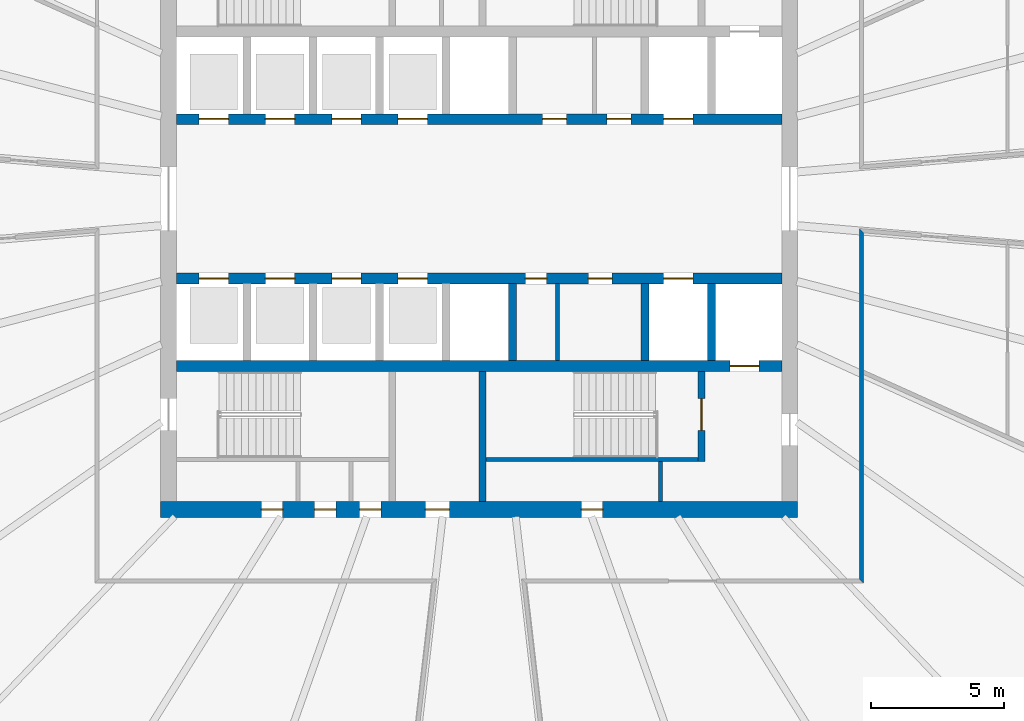
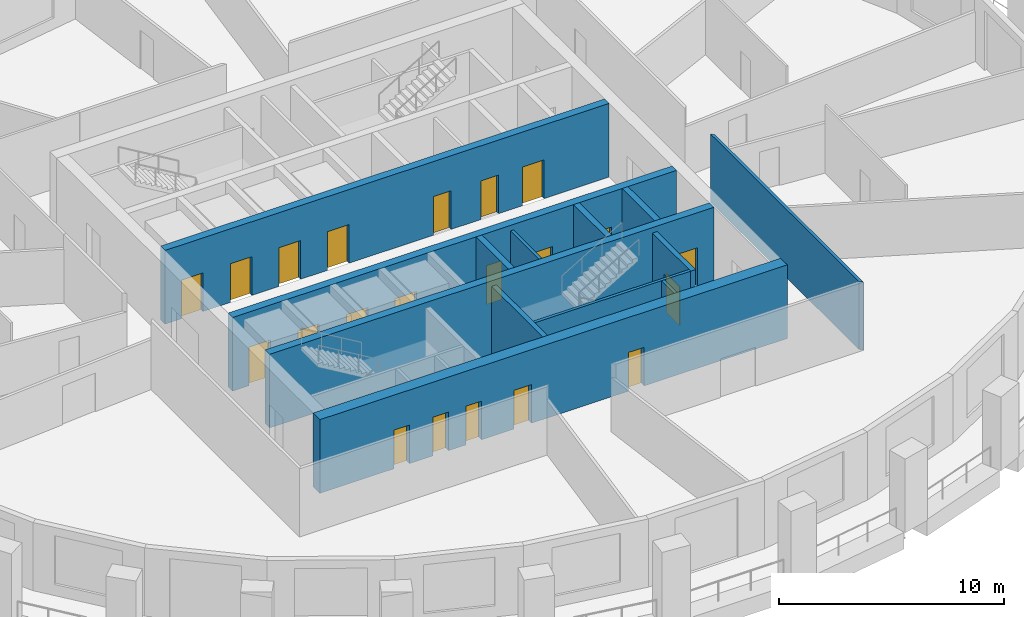
# One storey, part 4 of 10: 21 doors, 13 walls, 21 openings.
"""IFC4 building model written with IfcOpenShell, lengths in metres."""

from ifc_helpers import new_model, si_unit, direction, frame, frame_2d, origin, place, context, subcontext, project, spatial, polyline, rectangle, outline, extrude, material, layer, layer_set, type_object, element, fill, save


model = new_model("IFC4")

# Units and contexts
model_context = context("Model", 3, precision=1e-05, world=origin(), true_north=direction((0.0, 1.0)))
body_context = subcontext(model_context, "Body", "Model", "MODEL_VIEW")
ifc_project = project(units=[si_unit("LENGTHUNIT", "METRE"), si_unit("AREAUNIT", "SQUARE_METRE"), si_unit("VOLUMEUNIT", "CUBIC_METRE"), si_unit("PLANEANGLEUNIT", "RADIAN"), si_unit("MASSUNIT", "GRAM", prefix="KILO")], contexts=[model_context])

# Site, building, storey
site_placement = place(None, origin())
site = spatial("IfcSite", under=ifc_project, at=site_placement, CompositionType="ELEMENT")
building_placement = place(site_placement, origin())
building = spatial("IfcBuilding", under=site, at=building_placement, Name="Halqa Exchange Tower", CompositionType="ELEMENT")
storey_placement = place(building_placement, frame((0.0, 0.0, 178.89990234375)))
storey = spatial("IfcBuildingStorey", under=building, at=storey_placement, Name="L40", CompositionType="ELEMENT", Elevation=178.89990234375)

# Walls
ifc_material_1 = material(Name="Fire-rated gypsum board")
ifc_layer_1 = layer(ifc_material_1, 0.14990234375)
ifc_layer_set_1 = layer_set([ifc_layer_1], Name="Fire-rated gypsum board")
wall_type_1 = type_object("IfcWallType", Name="Fire partition EI 60 150", PredefinedType="PARTITIONING", material=ifc_layer_set_1)
wall_1_placement = place(storey_placement, frame((14.39990234375, -14.47509765625, 0.0), z_axis=(0.0, 0.0, 1.0), x_axis=(0.0, 1.0, 0.0)))
element("IfcWall", 1, at=wall_1_placement, inside=storey, type_object=wall_type_1, Name="L40-PWL-019", PredefinedType="PARTITIONING", context=body_context, shape_type="SweptSolid", body=[
    extrude(outline(polyline([(0.000244140625, -0.074951171875), (1.885009765625, -0.074951171875), (3.769775390625, -0.074951171875), (5.654541015625, -0.074951171875), (7.539306640625, -0.074951171875), (9.424072265625, -0.074951171875), (11.308837890625, -0.074951171875), (13.193603515625, -0.074951171875), (13.356689453125, 0.074951171875), (11.469970703125, 0.074951171875), (9.58349609375, 0.074951171875), (7.69677734375, 0.074951171875), (5.81005859375, 0.074951171875), (3.92333984375, 0.074951171875), (2.036865234375, 0.074951171875), (0.150146484375, 0.074951171875), (0.000244140625, -0.074951171875)])), origin(), (0.0, 0.0, 1.0), 3.7001953125),
])
ifc_material_2 = material(Name="Gypsum board")
ifc_layer_2 = layer(ifc_material_2, 0.14990234375)
ifc_layer_set_2 = layer_set([ifc_layer_2], Name="Gypsum board")
wall_type_2 = type_object("IfcWallType", Name="Penthouse riser wall 150 gypsum", PredefinedType="PARTITIONING", material=ifc_layer_set_2)
wall_2_placement = place(storey_placement, frame((6.824951171875, -11.39990234375, 0.0), z_axis=(0.0, 0.0, 1.0), x_axis=(0.0, 1.0, 0.0)))
element("IfcWall", 2, at=wall_2_placement, inside=storey, type_object=wall_type_2, Name="Firefighting lobby west wall S", PredefinedType="PARTITIONING", context=body_context, shape_type="SweptSolid", body=[
    extrude(rectangle(XDim=1.5, YDim=0.14990234375, at=frame_2d((0.75, 0.0))), origin(), (0.0, 0.0, 1.0), 3.7001953125),
])
wall_3_placement = place(storey_placement, frame((2.949951171875, -6.10009765625, 0.0), z_axis=(0.0, 0.0, 1.0), x_axis=(0.0, 1.0, 0.0)))
element("IfcWall", 3, at=wall_3_placement, inside=storey, type_object=wall_type_2, Name="Freed bay partition SE2.950", PredefinedType="PARTITIONING", context=body_context, shape_type="SweptSolid", body=[
    extrude(rectangle(XDim=2.900146484375, YDim=0.14990234375, at=frame_2d((1.4501953125, 0.0))), origin(), (0.0, 0.0, 1.0), 3.7001953125),
])
ifc_material_3 = material(Name="Concrete C60/75", Category="concrete")
ifc_layer_3 = layer(ifc_material_3, 0.300048828125)
ifc_layer_set_3 = layer_set([ifc_layer_3], Name="Concrete C60/75")
wall_type_3 = type_object("IfcWallType", Name="RC core wall 300", PredefinedType="SHEAR", material=ifc_layer_set_3)
for number, where, z_axis, x_axis, name in (
    (4, (1.25, -6.10009765625, 0.0), (0.0, 0.0, 1.0), (0.0, 1.0, 0.0), "Shaft divider S5"),
    (5, (6.25, -6.10009765625, 0.0), (0.0, 0.0, 1.0), (0.0, 1.0, 0.0), "Shaft divider S7"),
    (6, (8.75, -6.10009765625, 0.0), (0.0, 0.0, 1.0), (0.0, 1.0, 0.0), "Shaft divider S8"),
):
    element("IfcWall", number, at=place(storey_placement, frame(where, z_axis=z_axis, x_axis=x_axis)), inside=storey, type_object=wall_type_3, Name=name, PredefinedType="SHEAR", context=body_context, shape_type="SweptSolid", body=[
        extrude(rectangle(XDim=2.900146484375, YDim=0.300048828125, at=frame_2d((1.4501953125, 0.0))), origin(), (0.0, 0.0, 1.0), 4.0),
    ])

# Wall, openings, doors
ifc_material_4 = material(Name="Concrete C70/85", Category="concrete")
ifc_layer_4 = layer(ifc_material_4, 0.39990234375)
ifc_layer_set_4 = layer_set([ifc_layer_4], Name="Concrete C70/85")
wall_type_4 = type_object("IfcWallType", Name="RC core wall 400 C70/85", PredefinedType="SHEAR", material=ifc_layer_set_4)
wall_4_placement = place(storey_placement, frame((-11.39990234375, 3.0, 0.0), z_axis=(0.0, 0.0, 1.0), x_axis=(1.0, 0.0, 0.0)))
wall_4 = element("IfcWall", 7, at=wall_4_placement, inside=storey, type_object=wall_type_4, Name="Lift row front wall N", PredefinedType="SHEAR", context=body_context, shape_type="SweptSolid", body=[
    extrude(rectangle(XDim=22.7998046875, YDim=0.39990234375, at=frame_2d((11.39990234375, 0.0))), origin(), (0.0, 0.0, 1.0), 4.0),
])
opening_1_placement = place(wall_4_placement, frame((0.85009765625, 0.0, 0.0)))
opening_1 = element("IfcOpeningElement", 8, at=opening_1_placement, cuts=wall_4, Name="Opening LD-HR1-T12", PredefinedType="OPENING", context=body_context, shape_type="SweptSolid", body=[
    extrude(rectangle(XDim=1.10009765625, YDim=2.10009765625, at=frame_2d((0.550048828125, 1.050048828125))), frame((0.0, 0.2119140625, 0.0), z_axis=(0.0, -1.0, 0.0), x_axis=(1.0, 0.0, 0.0)), (0.0, 0.0, 1.0), 0.423828125),
])
opening_2_placement = place(wall_4_placement, frame((3.35009765625, 0.0, 0.0)))
opening_2 = element("IfcOpeningElement", 9, at=opening_2_placement, cuts=wall_4, Name="Opening LD-HR2-T12", PredefinedType="OPENING", context=body_context, shape_type="SweptSolid", body=[
    extrude(rectangle(XDim=1.10009765625, YDim=2.10009765625, at=frame_2d((0.550048828125, 1.050048828125))), frame((0.0, 0.2119140625, 0.0), z_axis=(0.0, -1.0, 0.0), x_axis=(1.0, 0.0, 0.0)), (0.0, 0.0, 1.0), 0.423828125),
])
opening_3_placement = place(wall_4_placement, frame((5.85009765625, 0.0, 0.0)))
opening_3 = element("IfcOpeningElement", 10, at=opening_3_placement, cuts=wall_4, Name="Opening LD-MR1-T12", PredefinedType="OPENING", context=body_context, shape_type="SweptSolid", body=[
    extrude(rectangle(XDim=1.10009765625, YDim=2.10009765625, at=frame_2d((0.550048828125, 1.050048828125))), frame((0.0, 0.2119140625, 0.0), z_axis=(0.0, -1.0, 0.0), x_axis=(1.0, 0.0, 0.0)), (0.0, 0.0, 1.0), 0.423828125),
])
opening_4_placement = place(wall_4_placement, frame((8.35009765625, 0.0, 0.0)))
opening_4 = element("IfcOpeningElement", 11, at=opening_4_placement, cuts=wall_4, Name="Opening LD-MR2-T12", PredefinedType="OPENING", context=body_context, shape_type="SweptSolid", body=[
    extrude(rectangle(XDim=1.10009765625, YDim=2.10009765625, at=frame_2d((0.550048828125, 1.050048828125))), frame((0.0, 0.2119140625, 0.0), z_axis=(0.0, -1.0, 0.0), x_axis=(1.0, 0.0, 0.0)), (0.0, 0.0, 1.0), 0.423828125),
])
opening_5_placement = place(wall_4_placement, frame((18.35009765625, 0.0, 0.0)))
opening_5 = element("IfcOpeningElement", 12, at=opening_5_placement, cuts=wall_4, Name="Opening LD-SV1-T12", PredefinedType="OPENING", context=body_context, shape_type="SweptSolid", body=[
    extrude(rectangle(XDim=1.10009765625, YDim=2.10009765625, at=frame_2d((0.550048828125, 1.050048828125))), frame((0.0, 0.2119140625, 0.0), z_axis=(0.0, -1.0, 0.0), x_axis=(1.0, 0.0, 0.0)), (0.0, 0.0, 1.0), 0.423828125),
])
opening_6_placement = place(wall_4_placement, frame((13.78759765625, 0.0, 0.0)))
opening_6 = element("IfcOpeningElement", 13, at=opening_6_placement, cuts=wall_4, Name="Opening T12-C31", PredefinedType="OPENING", context=body_context, shape_type="SweptSolid", body=[
    extrude(rectangle(XDim=0.89990234375, YDim=2.10009765625, at=frame_2d((0.449951171875, 1.050048828125))), frame((0.0, 0.2119140625, 0.0), z_axis=(0.0, -1.0, 0.0), x_axis=(1.0, 0.0, 0.0)), (0.0, 0.0, 1.0), 0.423828125),
])
opening_7_placement = place(wall_4_placement, frame((16.21240234375, 0.0, 0.0)))
opening_7 = element("IfcOpeningElement", 14, at=opening_7_placement, cuts=wall_4, Name="Opening T12-C32", PredefinedType="OPENING", context=body_context, shape_type="SweptSolid", body=[
    extrude(rectangle(XDim=0.89990234375, YDim=2.10009765625, at=frame_2d((0.449951171875, 1.050048828125))), frame((0.0, 0.2119140625, 0.0), z_axis=(0.0, -1.0, 0.0), x_axis=(1.0, 0.0, 0.0)), (0.0, 0.0, 1.0), 0.423828125),
])
ifc_material_5 = material(Name="Timber fire door leaf", Category="wood")
door_type_1 = type_object("IfcDoorType", Name="Core room door FD30 900 x 2100", OperationType="SINGLE_SWING_LEFT", PredefinedType="DOOR", material=ifc_material_5)
door_1_placement = place(opening_6_placement, origin())
door_1 = element("IfcDoor", 15, at=door_1_placement, inside=storey, type_object=door_type_1, Name="Core room door", OperationType="SINGLE_SWING_RIGHT", OverallHeight=2.10009765625, OverallWidth=0.89990234375, PredefinedType="DOOR", context=body_context, shape_type="SweptSolid", body=[
    extrude(rectangle(XDim=0.89990234375, YDim=2.10009765625, at=frame_2d((0.449951171875, 1.050048828125))), frame((0.0, 0.02490234375, 0.0), z_axis=(0.0, -1.0, 0.0), x_axis=(1.0, 0.0, 0.0)), (0.0, 0.0, 1.0), 0.050048828125),
])
fill(opening_6, door_1)
door_2_placement = place(opening_7_placement, origin())
door_2 = element("IfcDoor", 16, at=door_2_placement, inside=storey, type_object=door_type_1, Name="Core room door", OperationType="SINGLE_SWING_RIGHT", OverallHeight=2.10009765625, OverallWidth=0.89990234375, PredefinedType="DOOR", context=body_context, shape_type="SweptSolid", body=[
    extrude(rectangle(XDim=0.89990234375, YDim=2.10009765625, at=frame_2d((0.449951171875, 1.050048828125))), frame((0.0, 0.02490234375, 0.0), z_axis=(0.0, -1.0, 0.0), x_axis=(1.0, 0.0, 0.0)), (0.0, 0.0, 1.0), 0.050048828125),
])
fill(opening_7, door_2)
ifc_material_6 = material(Name="Stainless steel", Category="steel")
door_type_2 = type_object("IfcDoorType", Name="Lift landing door 1100 x 2100", OperationType="SLIDING_TO_LEFT", PredefinedType="DOOR", material=ifc_material_6)
door_3_placement = place(opening_1_placement, origin())
door_3 = element("IfcDoor", 17, at=door_3_placement, inside=storey, type_object=door_type_2, Name="Lift landing door HR1", OperationType="SLIDING_TO_LEFT", OverallHeight=2.10009765625, OverallWidth=1.10009765625, PredefinedType="DOOR", context=body_context, shape_type="SweptSolid", body=[
    extrude(rectangle(XDim=1.10009765625, YDim=2.10009765625, at=frame_2d((0.550048828125, 1.050048828125))), frame((0.0, 0.02490234375, 0.0), z_axis=(0.0, -1.0, 0.0), x_axis=(1.0, 0.0, 0.0)), (0.0, 0.0, 1.0), 0.050048828125),
])
fill(opening_1, door_3)
door_4_placement = place(opening_2_placement, origin())
door_4 = element("IfcDoor", 18, at=door_4_placement, inside=storey, type_object=door_type_2, Name="Lift landing door HR2", OperationType="SLIDING_TO_LEFT", OverallHeight=2.10009765625, OverallWidth=1.10009765625, PredefinedType="DOOR", context=body_context, shape_type="SweptSolid", body=[
    extrude(rectangle(XDim=1.10009765625, YDim=2.10009765625, at=frame_2d((0.550048828125, 1.050048828125))), frame((0.0, 0.02490234375, 0.0), z_axis=(0.0, -1.0, 0.0), x_axis=(1.0, 0.0, 0.0)), (0.0, 0.0, 1.0), 0.050048828125),
])
fill(opening_2, door_4)
door_5_placement = place(opening_3_placement, origin())
door_5 = element("IfcDoor", 19, at=door_5_placement, inside=storey, type_object=door_type_2, Name="Lift landing door MR1", OperationType="SLIDING_TO_LEFT", OverallHeight=2.10009765625, OverallWidth=1.10009765625, PredefinedType="DOOR", context=body_context, shape_type="SweptSolid", body=[
    extrude(rectangle(XDim=1.10009765625, YDim=2.10009765625, at=frame_2d((0.550048828125, 1.050048828125))), frame((0.0, 0.02490234375, 0.0), z_axis=(0.0, -1.0, 0.0), x_axis=(1.0, 0.0, 0.0)), (0.0, 0.0, 1.0), 0.050048828125),
])
fill(opening_3, door_5)
door_6_placement = place(opening_4_placement, origin())
door_6 = element("IfcDoor", 20, at=door_6_placement, inside=storey, type_object=door_type_2, Name="Lift landing door MR2", OperationType="SLIDING_TO_LEFT", OverallHeight=2.10009765625, OverallWidth=1.10009765625, PredefinedType="DOOR", context=body_context, shape_type="SweptSolid", body=[
    extrude(rectangle(XDim=1.10009765625, YDim=2.10009765625, at=frame_2d((0.550048828125, 1.050048828125))), frame((0.0, 0.02490234375, 0.0), z_axis=(0.0, -1.0, 0.0), x_axis=(1.0, 0.0, 0.0)), (0.0, 0.0, 1.0), 0.050048828125),
])
fill(opening_4, door_6)
door_7_placement = place(opening_5_placement, origin())
door_7 = element("IfcDoor", 21, at=door_7_placement, inside=storey, type_object=door_type_2, Name="Lift landing door SV1", OperationType="SLIDING_TO_LEFT", OverallHeight=2.10009765625, OverallWidth=1.10009765625, PredefinedType="DOOR", context=body_context, shape_type="SweptSolid", body=[
    extrude(rectangle(XDim=1.10009765625, YDim=2.10009765625, at=frame_2d((0.550048828125, 1.050048828125))), frame((0.0, 0.02490234375, 0.0), z_axis=(0.0, -1.0, 0.0), x_axis=(1.0, 0.0, 0.0)), (0.0, 0.0, 1.0), 0.050048828125),
])
fill(opening_5, door_7)

wall_5_placement = place(storey_placement, frame((-11.39990234375, -3.0, 0.0), z_axis=(0.0, 0.0, 1.0), x_axis=(1.0, 0.0, 0.0)))
wall_5 = element("IfcWall", 22, at=wall_5_placement, inside=storey, type_object=wall_type_4, Name="Lift row front wall S", PredefinedType="SHEAR", context=body_context, shape_type="SweptSolid", body=[
    extrude(rectangle(XDim=22.7998046875, YDim=0.39990234375, at=frame_2d((11.39990234375, 0.0))), origin(), (0.0, 0.0, 1.0), 4.0),
])
opening_8_placement = place(wall_5_placement, frame((0.85009765625, 0.0, 0.0)))
opening_8 = element("IfcOpeningElement", 23, at=opening_8_placement, cuts=wall_5, Name="Opening LD-HR3-T12", PredefinedType="OPENING", context=body_context, shape_type="SweptSolid", body=[
    extrude(rectangle(XDim=1.10009765625, YDim=2.10009765625, at=frame_2d((0.550048828125, 1.050048828125))), frame((0.0, 0.2119140625, 0.0), z_axis=(0.0, -1.0, 0.0), x_axis=(1.0, 0.0, 0.0)), (0.0, 0.0, 1.0), 0.423828125),
])
opening_9_placement = place(wall_5_placement, frame((3.35009765625, 0.0, 0.0)))
opening_9 = element("IfcOpeningElement", 24, at=opening_9_placement, cuts=wall_5, Name="Opening LD-HR4-T12", PredefinedType="OPENING", context=body_context, shape_type="SweptSolid", body=[
    extrude(rectangle(XDim=1.10009765625, YDim=2.10009765625, at=frame_2d((0.550048828125, 1.050048828125))), frame((0.0, 0.2119140625, 0.0), z_axis=(0.0, -1.0, 0.0), x_axis=(1.0, 0.0, 0.0)), (0.0, 0.0, 1.0), 0.423828125),
])
opening_10_placement = place(wall_5_placement, frame((5.85009765625, 0.0, 0.0)))
opening_10 = element("IfcOpeningElement", 25, at=opening_10_placement, cuts=wall_5, Name="Opening LD-MR3-T12", PredefinedType="OPENING", context=body_context, shape_type="SweptSolid", body=[
    extrude(rectangle(XDim=1.10009765625, YDim=2.10009765625, at=frame_2d((0.550048828125, 1.050048828125))), frame((0.0, 0.2119140625, 0.0), z_axis=(0.0, -1.0, 0.0), x_axis=(1.0, 0.0, 0.0)), (0.0, 0.0, 1.0), 0.423828125),
])
opening_11_placement = place(wall_5_placement, frame((8.35009765625, 0.0, 0.0)))
opening_11 = element("IfcOpeningElement", 26, at=opening_11_placement, cuts=wall_5, Name="Opening LD-MR4-T12", PredefinedType="OPENING", context=body_context, shape_type="SweptSolid", body=[
    extrude(rectangle(XDim=1.10009765625, YDim=2.10009765625, at=frame_2d((0.550048828125, 1.050048828125))), frame((0.0, 0.2119140625, 0.0), z_axis=(0.0, -1.0, 0.0), x_axis=(1.0, 0.0, 0.0)), (0.0, 0.0, 1.0), 0.423828125),
])
opening_12_placement = place(wall_5_placement, frame((18.35009765625, 0.0, 0.0)))
opening_12 = element("IfcOpeningElement", 27, at=opening_12_placement, cuts=wall_5, Name="Opening LD-SV2-T12", PredefinedType="OPENING", context=body_context, shape_type="SweptSolid", body=[
    extrude(rectangle(XDim=1.10009765625, YDim=2.10009765625, at=frame_2d((0.550048828125, 1.050048828125))), frame((0.0, 0.2119140625, 0.0), z_axis=(0.0, -1.0, 0.0), x_axis=(1.0, 0.0, 0.0)), (0.0, 0.0, 1.0), 0.423828125),
])
opening_13_placement = place(wall_5_placement, frame((13.137451171875, 0.0, 0.0)))
opening_13 = element("IfcOpeningElement", 28, at=opening_13_placement, cuts=wall_5, Name="Opening T12-C33", PredefinedType="OPENING", context=body_context, shape_type="SweptSolid", body=[
    extrude(rectangle(XDim=0.800048828125, YDim=2.10009765625, at=frame_2d((0.39990234375, 1.050048828125))), frame((0.0, 0.2119140625, 0.0), z_axis=(0.0, -1.0, 0.0), x_axis=(1.0, 0.0, 0.0)), (0.0, 0.0, 1.0), 0.423828125),
])
opening_14_placement = place(wall_5_placement, frame((15.512451171875, 0.0, 0.0)))
opening_14 = element("IfcOpeningElement", 29, at=opening_14_placement, cuts=wall_5, Name="Opening T12-C34", PredefinedType="OPENING", context=body_context, shape_type="SweptSolid", body=[
    extrude(rectangle(XDim=0.89990234375, YDim=2.10009765625, at=frame_2d((0.449951171875, 1.050048828125))), frame((0.0, 0.2119140625, 0.0), z_axis=(0.0, -1.0, 0.0), x_axis=(1.0, 0.0, 0.0)), (0.0, 0.0, 1.0), 0.423828125),
])
door_8_placement = place(opening_14_placement, frame((0.89990234375, 0.0, 0.0), z_axis=(0.0, 0.0, 1.0), x_axis=(-1.0, 0.0, 0.0)))
door_8 = element("IfcDoor", 30, at=door_8_placement, inside=storey, type_object=door_type_1, Name="Core room door", OperationType="SINGLE_SWING_RIGHT", OverallHeight=2.10009765625, OverallWidth=0.89990234375, PredefinedType="DOOR", context=body_context, shape_type="SweptSolid", body=[
    extrude(rectangle(XDim=0.89990234375, YDim=2.10009765625, at=frame_2d((0.449951171875, 1.050048828125))), frame((0.0, 0.02490234375, 0.0), z_axis=(0.0, -1.0, 0.0), x_axis=(1.0, 0.0, 0.0)), (0.0, 0.0, 1.0), 0.050048828125),
])
fill(opening_14, door_8)
door_9_placement = place(opening_8_placement, origin())
door_9 = element("IfcDoor", 31, at=door_9_placement, inside=storey, type_object=door_type_2, Name="Lift landing door HR3", OperationType="SLIDING_TO_LEFT", OverallHeight=2.10009765625, OverallWidth=1.10009765625, PredefinedType="DOOR", context=body_context, shape_type="SweptSolid", body=[
    extrude(rectangle(XDim=1.10009765625, YDim=2.10009765625, at=frame_2d((0.550048828125, 1.050048828125))), frame((0.0, 0.02490234375, 0.0), z_axis=(0.0, -1.0, 0.0), x_axis=(1.0, 0.0, 0.0)), (0.0, 0.0, 1.0), 0.050048828125),
])
fill(opening_8, door_9)
door_10_placement = place(opening_9_placement, origin())
door_10 = element("IfcDoor", 32, at=door_10_placement, inside=storey, type_object=door_type_2, Name="Lift landing door HR4", OperationType="SLIDING_TO_LEFT", OverallHeight=2.10009765625, OverallWidth=1.10009765625, PredefinedType="DOOR", context=body_context, shape_type="SweptSolid", body=[
    extrude(rectangle(XDim=1.10009765625, YDim=2.10009765625, at=frame_2d((0.550048828125, 1.050048828125))), frame((0.0, 0.02490234375, 0.0), z_axis=(0.0, -1.0, 0.0), x_axis=(1.0, 0.0, 0.0)), (0.0, 0.0, 1.0), 0.050048828125),
])
fill(opening_9, door_10)
door_11_placement = place(opening_10_placement, origin())
door_11 = element("IfcDoor", 33, at=door_11_placement, inside=storey, type_object=door_type_2, Name="Lift landing door MR3", OperationType="SLIDING_TO_LEFT", OverallHeight=2.10009765625, OverallWidth=1.10009765625, PredefinedType="DOOR", context=body_context, shape_type="SweptSolid", body=[
    extrude(rectangle(XDim=1.10009765625, YDim=2.10009765625, at=frame_2d((0.550048828125, 1.050048828125))), frame((0.0, 0.02490234375, 0.0), z_axis=(0.0, -1.0, 0.0), x_axis=(1.0, 0.0, 0.0)), (0.0, 0.0, 1.0), 0.050048828125),
])
fill(opening_10, door_11)
door_12_placement = place(opening_11_placement, origin())
door_12 = element("IfcDoor", 34, at=door_12_placement, inside=storey, type_object=door_type_2, Name="Lift landing door MR4", OperationType="SLIDING_TO_LEFT", OverallHeight=2.10009765625, OverallWidth=1.10009765625, PredefinedType="DOOR", context=body_context, shape_type="SweptSolid", body=[
    extrude(rectangle(XDim=1.10009765625, YDim=2.10009765625, at=frame_2d((0.550048828125, 1.050048828125))), frame((0.0, 0.02490234375, 0.0), z_axis=(0.0, -1.0, 0.0), x_axis=(1.0, 0.0, 0.0)), (0.0, 0.0, 1.0), 0.050048828125),
])
fill(opening_11, door_12)
door_13_placement = place(opening_12_placement, origin())
door_13 = element("IfcDoor", 35, at=door_13_placement, inside=storey, type_object=door_type_2, Name="Lift landing door SV2", OperationType="SLIDING_TO_LEFT", OverallHeight=2.10009765625, OverallWidth=1.10009765625, PredefinedType="DOOR", context=body_context, shape_type="SweptSolid", body=[
    extrude(rectangle(XDim=1.10009765625, YDim=2.10009765625, at=frame_2d((0.550048828125, 1.050048828125))), frame((0.0, 0.02490234375, 0.0), z_axis=(0.0, -1.0, 0.0), x_axis=(1.0, 0.0, 0.0)), (0.0, 0.0, 1.0), 0.050048828125),
])
fill(opening_12, door_13)
ifc_material_7 = material(Name="Steel fire door leaf", Category="steel")
door_type_3 = type_object("IfcDoorType", Name="Riser door FD60 800 x 2100", OperationType="SINGLE_SWING_LEFT", PredefinedType="DOOR", material=ifc_material_7)
door_14_placement = place(opening_13_placement, frame((0.800048828125, 0.0, 0.0), z_axis=(0.0, 0.0, 1.0), x_axis=(-1.0, 0.0, 0.0)))
door_14 = element("IfcDoor", 36, at=door_14_placement, inside=storey, type_object=door_type_3, Name="Core room door", OperationType="SINGLE_SWING_LEFT", OverallHeight=2.10009765625, OverallWidth=0.800048828125, PredefinedType="DOOR", context=body_context, shape_type="SweptSolid", body=[
    extrude(rectangle(XDim=0.800048828125, YDim=2.10009765625, at=frame_2d((0.39990234375, 1.050048828125))), frame((0.0, 0.02490234375, 0.0), z_axis=(0.0, -1.0, 0.0), x_axis=(1.0, 0.0, 0.0)), (0.0, 0.0, 1.0), 0.050048828125),
])
fill(opening_13, door_14)

# Wall, opening, door
wall_6_placement = place(storey_placement, frame((-11.39990234375, -6.300048828125, 0.0), z_axis=(0.0, 0.0, 1.0), x_axis=(1.0, 0.0, 0.0)))
wall_6 = element("IfcWall", 37, at=wall_6_placement, inside=storey, type_object=wall_type_4, Name="Lift row back wall S", PredefinedType="SHEAR", context=body_context, shape_type="SweptSolid", body=[
    extrude(rectangle(XDim=22.7998046875, YDim=0.39990234375, at=frame_2d((11.39990234375, 0.0))), origin(), (0.0, 0.0, 1.0), 4.0),
])
opening_15_placement = place(wall_6_placement, frame((20.85009765625, 0.0, 0.0)))
opening_15 = element("IfcOpeningElement", 38, at=opening_15_placement, cuts=wall_6, Name="Opening LD-FF2-T12", PredefinedType="OPENING", context=body_context, shape_type="SweptSolid", body=[
    extrude(rectangle(XDim=1.10009765625, YDim=2.10009765625, at=frame_2d((0.550048828125, 1.050048828125))), frame((0.0, 0.2119140625, 0.0), z_axis=(0.0, -1.0, 0.0), x_axis=(1.0, 0.0, 0.0)), (0.0, 0.0, 1.0), 0.423828125),
])
door_15_placement = place(opening_15_placement, origin())
door_15 = element("IfcDoor", 39, at=door_15_placement, inside=storey, type_object=door_type_2, Name="Lift landing door FF2", OperationType="SLIDING_TO_LEFT", OverallHeight=2.10009765625, OverallWidth=1.10009765625, PredefinedType="DOOR", context=body_context, shape_type="SweptSolid", body=[
    extrude(rectangle(XDim=1.10009765625, YDim=2.10009765625, at=frame_2d((0.550048828125, 1.050048828125))), frame((0.0, 0.02490234375, 0.0), z_axis=(0.0, -1.0, 0.0), x_axis=(1.0, 0.0, 0.0)), (0.0, 0.0, 1.0), 0.050048828125),
])
fill(opening_15, door_15)

# Wall, openings, doors
ifc_layer_5 = layer(ifc_material_4, 0.60009765625)
ifc_layer_set_5 = layer_set([ifc_layer_5], Name="Concrete C70/85")
wall_type_5 = type_object("IfcWallType", Name="RC core wall 600 C70/85", PredefinedType="SHEAR", material=ifc_layer_set_5)
wall_7_placement = place(storey_placement, frame((-12.0, -11.699951171875, 0.0), z_axis=(0.0, 0.0, 1.0), x_axis=(1.0, 0.0, 0.0)))
wall_7 = element("IfcWall", 40, at=wall_7_placement, inside=storey, type_object=wall_type_5, Name="Core wall south", PredefinedType="SHEAR", context=body_context, shape_type="SweptSolid", body=[
    extrude(rectangle(XDim=24.0, YDim=0.60009765625, at=frame_2d((12.0, 0.0))), origin(), (0.0, 0.0, 1.0), 4.0),
])
opening_16_placement = place(wall_7_placement, frame((9.97509765625, 0.0, 0.0)))
opening_16 = element("IfcOpeningElement", 41, at=opening_16_placement, cuts=wall_7, Name="Opening T12-C26", PredefinedType="OPENING", context=body_context, shape_type="SweptSolid", body=[
    extrude(rectangle(XDim=0.89990234375, YDim=2.10009765625, at=frame_2d((0.449951171875, 1.050048828125))), frame((0.0, 0.31201171875, 0.0), z_axis=(0.0, -1.0, 0.0), x_axis=(1.0, 0.0, 0.0)), (0.0, 0.0, 1.0), 0.6240234375),
])
opening_17_placement = place(wall_7_placement, frame((3.800048828125, 0.0, 0.0)))
opening_17 = element("IfcOpeningElement", 42, at=opening_17_placement, cuts=wall_7, Name="Opening T12-C27", PredefinedType="OPENING", context=body_context, shape_type="SweptSolid", body=[
    extrude(rectangle(XDim=0.800048828125, YDim=2.10009765625, at=frame_2d((0.39990234375, 1.050048828125))), frame((0.0, 0.31201171875, 0.0), z_axis=(0.0, -1.0, 0.0), x_axis=(1.0, 0.0, 0.0)), (0.0, 0.0, 1.0), 0.6240234375),
])
opening_18_placement = place(wall_7_placement, frame((5.800048828125, 0.0, 0.0)))
opening_18 = element("IfcOpeningElement", 43, at=opening_18_placement, cuts=wall_7, Name="Opening T12-C28", PredefinedType="OPENING", context=body_context, shape_type="SweptSolid", body=[
    extrude(rectangle(XDim=0.800048828125, YDim=2.10009765625, at=frame_2d((0.39990234375, 1.050048828125))), frame((0.0, 0.31201171875, 0.0), z_axis=(0.0, -1.0, 0.0), x_axis=(1.0, 0.0, 0.0)), (0.0, 0.0, 1.0), 0.6240234375),
])
opening_19_placement = place(wall_7_placement, frame((7.5, 0.0, 0.0)))
opening_19 = element("IfcOpeningElement", 44, at=opening_19_placement, cuts=wall_7, Name="Opening T12-C29", PredefinedType="OPENING", context=body_context, shape_type="SweptSolid", body=[
    extrude(rectangle(XDim=0.800048828125, YDim=2.10009765625, at=frame_2d((0.39990234375, 1.050048828125))), frame((0.0, 0.31201171875, 0.0), z_axis=(0.0, -1.0, 0.0), x_axis=(1.0, 0.0, 0.0)), (0.0, 0.0, 1.0), 0.6240234375),
])
opening_20_placement = place(wall_7_placement, frame((15.85009765625, 0.0, 0.0)))
opening_20 = element("IfcOpeningElement", 45, at=opening_20_placement, cuts=wall_7, Name="Opening T12-C30", PredefinedType="OPENING", context=body_context, shape_type="SweptSolid", body=[
    extrude(rectangle(XDim=0.800048828125, YDim=2.10009765625, at=frame_2d((0.39990234375, 1.050048828125))), frame((0.0, 0.31201171875, 0.0), z_axis=(0.0, -1.0, 0.0), x_axis=(1.0, 0.0, 0.0)), (0.0, 0.0, 1.0), 0.6240234375),
])
door_16_placement = place(opening_16_placement, origin())
door_16 = element("IfcDoor", 46, at=door_16_placement, inside=storey, type_object=door_type_1, Name="Core room door", OperationType="SINGLE_SWING_RIGHT", OverallHeight=2.10009765625, OverallWidth=0.89990234375, PredefinedType="DOOR", context=body_context, shape_type="SweptSolid", body=[
    extrude(rectangle(XDim=0.89990234375, YDim=2.10009765625, at=frame_2d((0.449951171875, 1.050048828125))), frame((0.0, 0.02490234375, 0.0), z_axis=(0.0, -1.0, 0.0), x_axis=(1.0, 0.0, 0.0)), (0.0, 0.0, 1.0), 0.050048828125),
])
fill(opening_16, door_16)
door_17_placement = place(opening_17_placement, origin())
door_17 = element("IfcDoor", 47, at=door_17_placement, inside=storey, type_object=door_type_3, Name="Core room door", OperationType="SINGLE_SWING_LEFT", OverallHeight=2.10009765625, OverallWidth=0.800048828125, PredefinedType="DOOR", context=body_context, shape_type="SweptSolid", body=[
    extrude(rectangle(XDim=0.800048828125, YDim=2.10009765625, at=frame_2d((0.39990234375, 1.050048828125))), frame((0.0, 0.02490234375, 0.0), z_axis=(0.0, -1.0, 0.0), x_axis=(1.0, 0.0, 0.0)), (0.0, 0.0, 1.0), 0.050048828125),
])
fill(opening_17, door_17)
door_18_placement = place(opening_18_placement, origin())
door_18 = element("IfcDoor", 48, at=door_18_placement, inside=storey, type_object=door_type_3, Name="Core room door", OperationType="SINGLE_SWING_LEFT", OverallHeight=2.10009765625, OverallWidth=0.800048828125, PredefinedType="DOOR", context=body_context, shape_type="SweptSolid", body=[
    extrude(rectangle(XDim=0.800048828125, YDim=2.10009765625, at=frame_2d((0.39990234375, 1.050048828125))), frame((0.0, 0.02490234375, 0.0), z_axis=(0.0, -1.0, 0.0), x_axis=(1.0, 0.0, 0.0)), (0.0, 0.0, 1.0), 0.050048828125),
])
fill(opening_18, door_18)
door_19_placement = place(opening_19_placement, origin())
door_19 = element("IfcDoor", 49, at=door_19_placement, inside=storey, type_object=door_type_3, Name="Core room door", OperationType="SINGLE_SWING_LEFT", OverallHeight=2.10009765625, OverallWidth=0.800048828125, PredefinedType="DOOR", context=body_context, shape_type="SweptSolid", body=[
    extrude(rectangle(XDim=0.800048828125, YDim=2.10009765625, at=frame_2d((0.39990234375, 1.050048828125))), frame((0.0, 0.02490234375, 0.0), z_axis=(0.0, -1.0, 0.0), x_axis=(1.0, 0.0, 0.0)), (0.0, 0.0, 1.0), 0.050048828125),
])
fill(opening_19, door_19)
door_20_placement = place(opening_20_placement, origin())
door_20 = element("IfcDoor", 50, at=door_20_placement, inside=storey, type_object=door_type_3, Name="Core room door", OperationType="SINGLE_SWING_LEFT", OverallHeight=2.10009765625, OverallWidth=0.800048828125, PredefinedType="DOOR", context=body_context, shape_type="SweptSolid", body=[
    extrude(rectangle(XDim=0.800048828125, YDim=2.10009765625, at=frame_2d((0.39990234375, 1.050048828125))), frame((0.0, 0.02490234375, 0.0), z_axis=(0.0, -1.0, 0.0), x_axis=(1.0, 0.0, 0.0)), (0.0, 0.0, 1.0), 0.050048828125),
])
fill(opening_20, door_20)

# Walls
ifc_material_8 = material(Name="Concrete C30/37", Category="concrete")
ifc_layer_6 = layer(ifc_material_8, 0.14990234375)
ifc_layer_set_6 = layer_set([ifc_layer_6], Name="Concrete C30/37")
wall_type_6 = type_object("IfcWallType", Name="RC stair wall 150 C30/37", PredefinedType="SHEAR", material=ifc_layer_set_6)
wall_8_placement = place(storey_placement, frame((0.25, -9.824951171875, 0.0), z_axis=(0.0, 0.0, 1.0), x_axis=(1.0, 0.0, 0.0)))
element("IfcWall", 51, at=wall_8_placement, inside=storey, type_object=wall_type_6, Name="Stair ST2 north wall S", PredefinedType="SHEAR", context=body_context, shape_type="SweptSolid", body=[
    extrude(rectangle(XDim=8.0, YDim=0.14990234375, at=frame_2d((4.0, 0.0))), origin(), (0.0, 0.0, 1.0), 3.7001953125),
])
ifc_layer_7 = layer(ifc_material_8, 0.25)
ifc_layer_set_7 = layer_set([ifc_layer_7], Name="Concrete C30/37")
wall_type_7 = type_object("IfcWallType", Name="RC stair wall 250 C30/37", PredefinedType="SHEAR", material=ifc_layer_set_7)
wall_9_placement = place(storey_placement, frame((0.125, -11.39990234375, 0.0), z_axis=(0.0, 0.0, 1.0), x_axis=(0.0, 1.0, 0.0)))
element("IfcWall", 52, at=wall_9_placement, inside=storey, type_object=wall_type_7, Name="Stair ST2 west wall S", PredefinedType="SHEAR", context=body_context, shape_type="SweptSolid", body=[
    extrude(rectangle(XDim=4.89990234375, YDim=0.25, at=frame_2d((2.449951171875, 0.0))), origin(), (0.0, 0.0, 1.0), 3.7001953125),
])

# Wall, opening, door
wall_10_placement = place(storey_placement, frame((8.375, -9.89990234375, 0.0), z_axis=(0.0, 0.0, 1.0), x_axis=(0.0, 1.0, 0.0)))
wall_10 = element("IfcWall", 53, at=wall_10_placement, inside=storey, type_object=wall_type_7, Name="Stair ST2 east wall S", PredefinedType="SHEAR", context=body_context, shape_type="SweptSolid", body=[
    extrude(rectangle(XDim=3.39990234375, YDim=0.25, at=frame_2d((1.699951171875, 0.0))), origin(), (0.0, 0.0, 1.0), 3.7001953125),
])
opening_21_placement = place(wall_10_placement, frame((1.175048828125, 0.0, 0.0)))
opening_21 = element("IfcOpeningElement", 54, at=opening_21_placement, cuts=wall_10, Name="Opening T12-C18", PredefinedType="OPENING", context=body_context, shape_type="SweptSolid", body=[
    extrude(rectangle(XDim=1.199951171875, YDim=2.10009765625, at=frame_2d((0.60009765625, 1.050048828125))), frame((0.0, 0.136962890625, 0.0), z_axis=(0.0, -1.0, 0.0), x_axis=(1.0, 0.0, 0.0)), (0.0, 0.0, 1.0), 0.27392578125),
])
door_type_4 = type_object("IfcDoorType", Name="Stair door FD90 1200 x 2100", OperationType="SINGLE_SWING_LEFT", PredefinedType="DOOR", material=ifc_material_7)
door_21_placement = place(opening_21_placement, origin())
door_21 = element("IfcDoor", 55, at=door_21_placement, inside=storey, type_object=door_type_4, Name="Stair door ST4", OperationType="SINGLE_SWING_RIGHT", OverallHeight=2.10009765625, OverallWidth=1.199951171875, PredefinedType="DOOR", context=body_context, shape_type="SweptSolid", body=[
    extrude(rectangle(XDim=1.199951171875, YDim=2.10009765625, at=frame_2d((0.60009765625, 1.050048828125))), frame((0.0, 0.02490234375, 0.0), z_axis=(0.0, -1.0, 0.0), x_axis=(1.0, 0.0, 0.0)), (0.0, 0.0, 1.0), 0.050048828125),
])
fill(opening_21, door_21)

save(model, "model.ifc")
